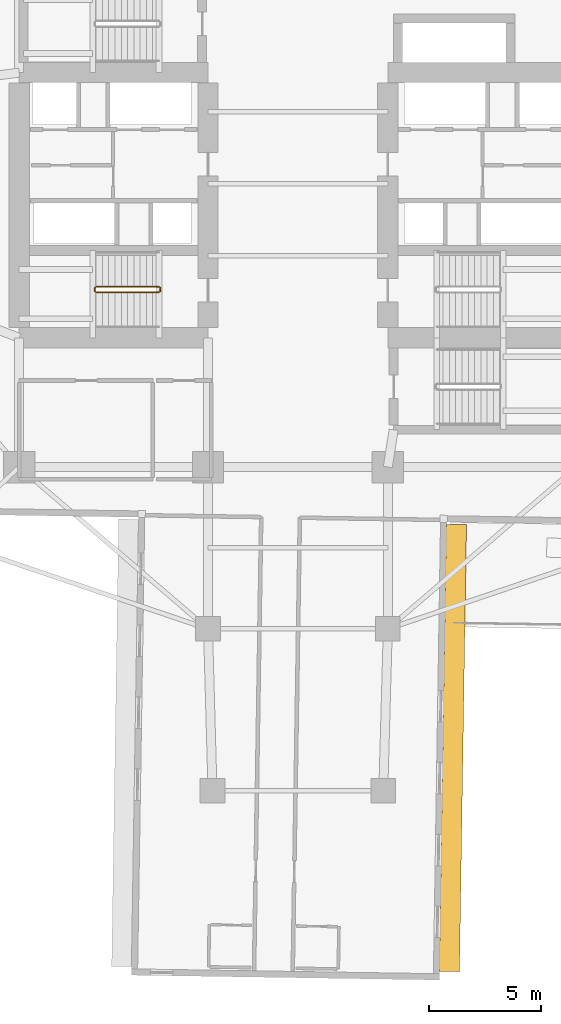
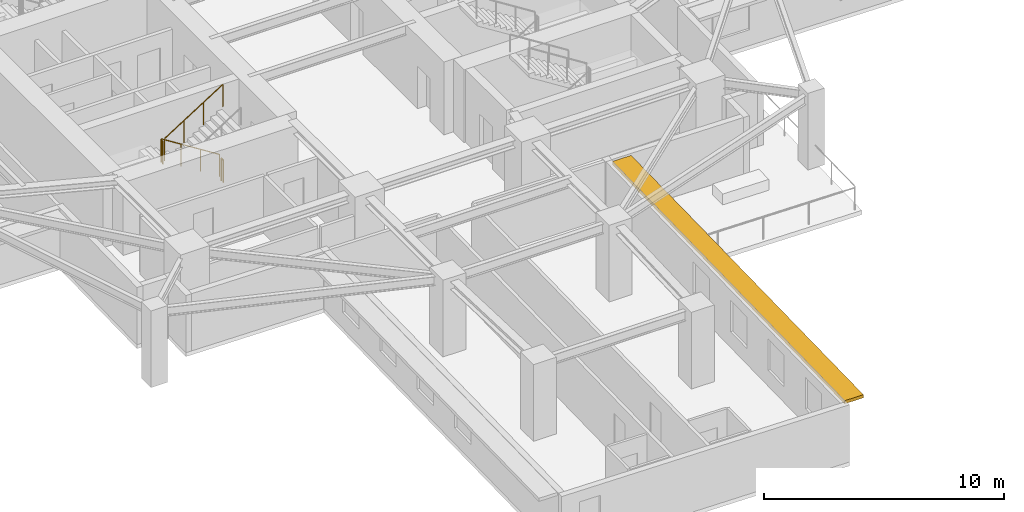
# One storey, part 10 of 13: 4 railings, 1 shading device.
"""IFC4 building model written with IfcOpenShell, lengths in metres."""

from ifc_helpers import new_model, si_unit, direction, frame, origin, origin_2d, place, context, subcontext, project, spatial, rectangle, circle, extrude, material, layer, layer_set, type_object, element, save


model = new_model("IFC4")

# Units and contexts
model_context = context("Model", 3, precision=1e-05, world=origin(), true_north=direction((0.0, 1.0)))
body_context = subcontext(model_context, "Body", "Model", "MODEL_VIEW")
ifc_project = project(units=[si_unit("LENGTHUNIT", "METRE"), si_unit("AREAUNIT", "SQUARE_METRE"), si_unit("VOLUMEUNIT", "CUBIC_METRE"), si_unit("PLANEANGLEUNIT", "RADIAN"), si_unit("MASSUNIT", "GRAM", prefix="KILO")], contexts=[model_context])

# Site, building, storey
site_placement = place(None, origin())
site = spatial("IfcSite", under=ifc_project, at=site_placement, CompositionType="ELEMENT")
building_placement = place(site_placement, origin())
building = spatial("IfcBuilding", under=site, at=building_placement, Name="Qingluan Cross Belvedere", CompositionType="ELEMENT")
storey_placement = place(building_placement, frame((0.0, 0.0, 67.800048828125)))
storey = spatial("IfcBuildingStorey", under=building, at=storey_placement, Name="L17", CompositionType="ELEMENT", Elevation=67.800048828125)

# Shading device
ifc_material_1 = material(Name="Precast concrete C45", Category="concrete")
ifc_layer = layer(ifc_material_1, 0.159912109375, Name="ConcreteSunshadeBand_900")
ifc_layer_set = layer_set([ifc_layer], Name="Precast concrete C45")
shading_device_type = type_object("IfcShadingDeviceType", Name="ConcreteSunshadeBand_900", PredefinedType="USERDEFINED", material=ifc_layer_set)
shading_device_placement = place(storey_placement, frame((6.896484375, -25.101318359375, 2.72998046875), z_axis=(0.0, 0.0, 1.0), x_axis=(0.015706483741, 0.999876645576, 0.0)))
element("IfcShadingDevice", 1, at=shading_device_placement, inside=storey, type_object=shading_device_type, Name="Concrete SUNSHADE L17-SB", ObjectType="SUNSHADE", PredefinedType="USERDEFINED", context=body_context, shape_type="SweptSolid", body=[
    extrude(rectangle(XDim=19.89990234375, YDim=0.89990234375, at=origin_2d()), origin(), (0.0, 0.0, 1.0), 0.159912109375),
])

# Railings
ifc_material_2 = material(Name="Painted steel stair well guard", Category="steel")
railing_type = type_object("IfcRailingType", Name="StairWellGuard_1150", PredefinedType="BALUSTRADE", material=ifc_material_2)
railing_1_placement = place(storey_placement, frame((-6.179931640625, -4.570068359375, 0.17724609375)))
element("IfcRailing", 2, at=railing_1_placement, inside=storey, type_object=railing_type, Name="L17 ST1 stair guard 1", PredefinedType="BALUSTRADE", context=body_context, shape_type="SweptSolid", body=[
    extrude(circle(Radius=0.02392578125, at=origin_2d()), frame((0.0, 0.0, 1.1259765625), z_axis=(-0.844908973607, 0.0, 0.534910110503), x_axis=(0.0, -1.0, 0.0)), (0.0, 0.0, 1.0), 3.31396484375),
    extrude(circle(Radius=0.02099609375, at=origin_2d()), origin(), (0.0, 0.0, 1.0), 1.101806640625),
    extrude(circle(Radius=0.02099609375, at=origin_2d()), frame((-0.933349609375, 0.0, 0.5908203125)), (0.0, 0.0, 1.0), 1.101806640625),
    extrude(circle(Radius=0.02099609375, at=origin_2d()), frame((-1.86669921875, 0.0, 1.181884765625)), (0.0, 0.0, 1.0), 1.101806640625),
    extrude(circle(Radius=0.02099609375, at=origin_2d()), frame((-2.800048828125, 0.0, 1.772705078125)), (0.0, 0.0, 1.0), 1.101806640625),
])
railing_2_placement = place(storey_placement, frame((-9.030029296875, -4.6201171875, 1.949951171875)))
element("IfcRailing", 3, at=railing_2_placement, inside=storey, type_object=railing_type, Name="L17 ST1 stair guard 2", PredefinedType="BALUSTRADE", context=body_context, shape_type="SweptSolid", body=[
    extrude(circle(Radius=0.02392578125, at=origin_2d()), frame((0.0, 0.0, 1.1259765625), z_axis=(0.0, -1.0, 0.0), x_axis=(1.0, 0.0, 0.0)), (0.0, 0.0, 1.0), 0.159912109375),
    extrude(circle(Radius=0.02099609375, at=origin_2d()), origin(), (0.0, 0.0, 1.0), 1.101806640625),
    extrude(circle(Radius=0.02099609375, at=origin_2d()), frame((0.0, -0.159912109375, 0.0)), (0.0, 0.0, 1.0), 1.101806640625),
])
railing_3_placement = place(storey_placement, frame((-8.97998046875, -4.830078125, 2.127197265625)))
element("IfcRailing", 4, at=railing_3_placement, inside=storey, type_object=railing_type, Name="L17 ST1 stair guard 3", PredefinedType="BALUSTRADE", context=body_context, shape_type="SweptSolid", body=[
    extrude(circle(Radius=0.02392578125, at=origin_2d()), frame((0.0, 0.0, 1.1259765625), z_axis=(0.844908973607, 0.0, 0.534910110503), x_axis=(0.0, 1.0, 0.0)), (0.0, 0.0, 1.0), 3.31396484375),
    extrude(circle(Radius=0.02099609375, at=origin_2d()), origin(), (0.0, 0.0, 1.0), 1.101806640625),
    extrude(circle(Radius=0.02099609375, at=origin_2d()), frame((0.933349609375, 0.0, 0.5908203125)), (0.0, 0.0, 1.0), 1.101806640625),
    extrude(circle(Radius=0.02099609375, at=origin_2d()), frame((1.86669921875, 0.0, 1.181884765625)), (0.0, 0.0, 1.0), 1.101806640625),
    extrude(circle(Radius=0.02099609375, at=origin_2d()), frame((2.800048828125, 0.0, 1.772705078125)), (0.0, 0.0, 1.0), 1.101806640625),
])
railing_4_placement = place(storey_placement, frame((-6.1298828125, -4.6201171875, 0.0)))
element("IfcRailing", 5, at=railing_4_placement, inside=storey, type_object=railing_type, Name="L17 ST1 stair guard 4", PredefinedType="BALUSTRADE", context=body_context, shape_type="SweptSolid", body=[
    extrude(circle(Radius=0.02392578125, at=origin_2d()), frame((0.0, 0.0, 1.1259765625), z_axis=(0.0, -1.0, 0.0), x_axis=(1.0, 0.0, 0.0)), (0.0, 0.0, 1.0), 0.159912109375),
    extrude(circle(Radius=0.02099609375, at=origin_2d()), origin(), (0.0, 0.0, 1.0), 1.101806640625),
    extrude(circle(Radius=0.02099609375, at=origin_2d()), frame((0.0, -0.159912109375, 0.0)), (0.0, 0.0, 1.0), 1.101806640625),
])

save(model, "model.ifc")
